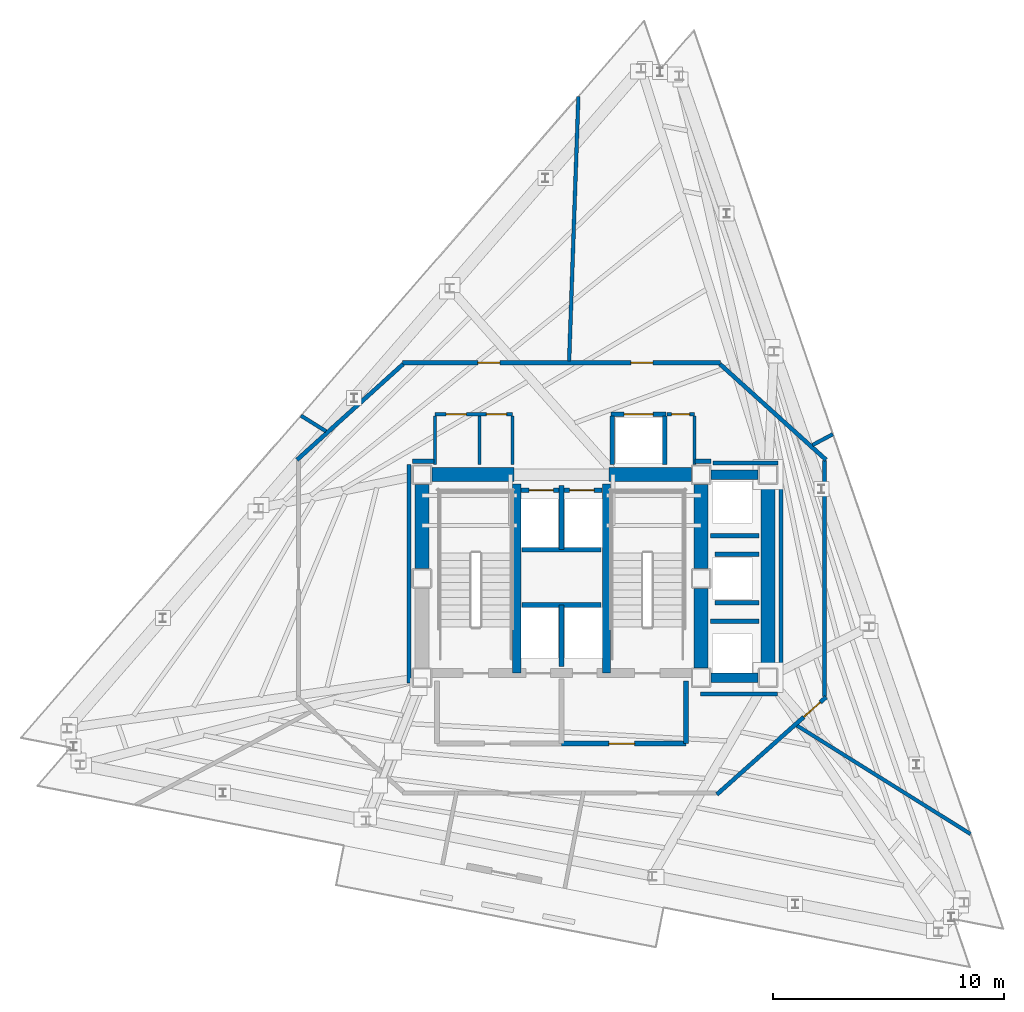
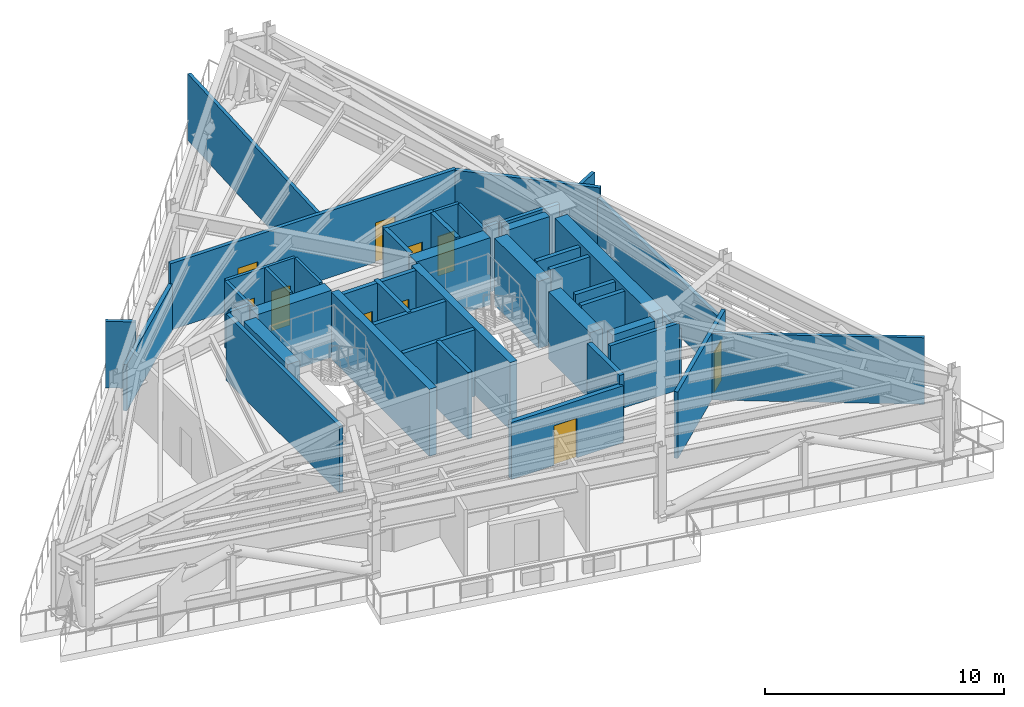
# One storey, part 5 of 8: 45 walls, 10 doors, 10 openings.
"""IFC4 building model written with IfcOpenShell, lengths in metres."""

from ifc_helpers import new_model, si_unit, direction, frame, frame_2d, origin, place, context, subcontext, project, spatial, rectangle, extrude, material, layer, layer_set, type_object, element, fill, save


model = new_model("IFC4")

# Units and contexts
model_context = context("Model", 3, precision=1e-05, world=origin(), true_north=direction((0.0, 1.0)))
body_context = subcontext(model_context, "Body", "Model", "MODEL_VIEW")
ifc_project = project(units=[si_unit("LENGTHUNIT", "METRE"), si_unit("AREAUNIT", "SQUARE_METRE"), si_unit("VOLUMEUNIT", "CUBIC_METRE"), si_unit("PLANEANGLEUNIT", "RADIAN"), si_unit("MASSUNIT", "GRAM", prefix="KILO")], contexts=[model_context])

# Site, building, storey
site_placement = place(None, origin())
site = spatial("IfcSite", under=ifc_project, at=site_placement, CompositionType="ELEMENT")
building_placement = place(site_placement, origin())
building = spatial("IfcBuilding", under=site, at=building_placement, Name="Rocaltana Carrier Exchange", CompositionType="ELEMENT")
storey_placement = place(building_placement, frame((0.0, 0.0, 171.52001953125)))
storey = spatial("IfcBuildingStorey", under=building, at=storey_placement, Name="L54", CompositionType="ELEMENT", Elevation=171.52001953125)

# Walls
ifc_material_1 = material(Name="Double Acoustic Gypsum Partition", Category="gypsum")
ifc_layer_1 = layer(ifc_material_1, 0.159912109375)
ifc_layer_set_1 = layer_set([ifc_layer_1], Name="Double Acoustic Gypsum Partition")
wall_type_1 = type_object("IfcWallType", Name="Acoustic Studio Partition 160 EI60", PredefinedType="PARTITIONING", material=ifc_layer_set_1)
wall_1_placement = place(storey_placement, frame((10.201904296875, -6.375, 0.0), z_axis=(0.0, 0.0, 1.0), x_axis=(0.848060141207, -0.529899987635, 0.0)))
element("IfcWall", 1, at=wall_1_placement, inside=storey, type_object=wall_type_1, Name="L54 Suite Divider Wall D2", PredefinedType="PARTITIONING", context=body_context, shape_type="SweptSolid", body=[
    extrude(rectangle(XDim=8.871337890625, YDim=0.159912109375, at=frame_2d((4.435546875, 0.0))), origin(), (0.0, 0.0, 1.0), 3.39306640625),
])
wall_2_placement = place(storey_placement, frame((10.874267578125, 5.781982421875, 0.0), z_axis=(0.0, 0.0, 1.0), x_axis=(0.882986309888, 0.4693987394, 0.0)))
element("IfcWall", 2, at=wall_2_placement, inside=storey, type_object=wall_type_1, Name="L54 Suite Divider Wall D3", PredefinedType="PARTITIONING", context=body_context, shape_type="SweptSolid", body=[
    extrude(rectangle(XDim=1.001708984375, YDim=0.159912109375, at=frame_2d((0.5009765625, 0.0))), origin(), (0.0, 0.0, 1.0), 3.39306640625),
])
wall_3_placement = place(storey_placement, frame((0.329345703125, 9.429931640625, 0.0), z_axis=(0.0, 0.0, 1.0), x_axis=(0.034899362377, 0.99939083171, 0.0)))
element("IfcWall", 3, at=wall_3_placement, inside=storey, type_object=wall_type_1, Name="L54 Suite Divider Wall D4", PredefinedType="PARTITIONING", context=body_context, shape_type="SweptSolid", body=[
    extrude(rectangle(XDim=11.4658203125, YDim=0.159912109375, at=frame_2d((5.73291015625, 0.0))), origin(), (0.0, 0.0, 1.0), 3.39306640625),
])
wall_4_placement = place(storey_placement, frame((-10.2109375, 6.380615234375, 0.0), z_axis=(0.0, 0.0, 1.0), x_axis=(-0.848127172329, 0.529792694888, 0.0)))
element("IfcWall", 4, at=wall_4_placement, inside=storey, type_object=wall_type_1, Name="L54 Suite Divider Wall D5", PredefinedType="PARTITIONING", context=body_context, shape_type="SweptSolid", body=[
    extrude(rectangle(XDim=1.27685546875, YDim=0.159912109375, at=frame_2d((0.638427734375, 0.0))), origin(), (0.0, 0.0, 1.0), 3.39306640625),
])
ifc_material_2 = material(Name="Concrete C50/60", Category="concrete")
ifc_layer_2 = layer(ifc_material_2, 0.35009765625)
ifc_layer_set_2 = layer_set([ifc_layer_2], Name="Concrete C50/60")
wall_type_2 = type_object("IfcWallType", Name="Core Internal Shear Wall 350", PredefinedType="SHEAR", material=ifc_layer_set_2)
for number, where, z_axis, x_axis, name in (
    (5, (-1.93994140625, -4.10009765625, 0.0), (0.0, 0.0, 1.0), (0.0, 1.0, 0.0), "L54 Core Shear Wall CW-STW"),
    (6, (1.93994140625, -4.10009765625, 0.0), (0.0, 0.0, 1.0), (0.0, 1.0, 0.0), "L54 Core Shear Wall CW-STE"),
):
    element("IfcWall", number, at=place(storey_placement, frame(where, z_axis=z_axis, x_axis=x_axis)), inside=storey, type_object=wall_type_2, Name=name, PredefinedType="SHEAR", context=body_context, shape_type="SweptSolid", body=[
        extrude(rectangle(XDim=8.2001953125, YDim=0.35009765625, at=frame_2d((4.10009765625, 0.0))), origin(), (0.0, 0.0, 1.0), 3.41796875),
    ])
ifc_material_3 = material(Name="Concrete C50/60", Category="concrete")
ifc_layer_3 = layer(ifc_material_3, 0.39990234375)
ifc_layer_set_3 = layer_set([ifc_layer_3], Name="Concrete C50/60")
wall_type_3 = type_object("IfcWallType", Name="Core Internal Shear Wall 400", PredefinedType="SHEAR", material=ifc_layer_set_3)
for number, where, z_axis, x_axis, name in (
    (7, (6.47509765625, 4.5, 0.0), (0.0, 0.0, 1.0), (1.0, 0.0, 0.0), "L54 Core Shear Wall CW-EWN"),
    (8, (6.47509765625, -4.300048828125, 0.0), (0.0, 0.0, 1.0), (1.0, 0.0, 0.0), "L54 Core Shear Wall CW-EWS"),
):
    element("IfcWall", number, at=place(storey_placement, frame(where, z_axis=z_axis, x_axis=x_axis)), inside=storey, type_object=wall_type_3, Name=name, PredefinedType="SHEAR", context=body_context, shape_type="SweptSolid", body=[
        extrude(rectangle(XDim=2.0498046875, YDim=0.39990234375, at=frame_2d((1.02490234375, 0.0))), origin(), (0.0, 0.0, 1.0), 3.41796875),
    ])
ifc_material_4 = material(Name="Concrete C50/60", Category="concrete")
ifc_layer_4 = layer(ifc_material_4, 0.60009765625)
ifc_layer_set_4 = layer_set([ifc_layer_4], Name="Concrete C50/60")
wall_type_4 = type_object("IfcWallType", Name="Core Shear Wall 600", PredefinedType="SHEAR", material=ifc_layer_set_4)
for number, where, z_axis, x_axis, name in (
    (9, (-6.050048828125, 0.425048828125, 0.0), (0.0, 0.0, 1.0), (0.0, 1.0, 0.0), "L54 Core Shear Wall CW-WN"),
    (10, (6.050048828125, 0.425048828125, 0.0), (0.0, 0.0, 1.0), (0.0, 1.0, 0.0), "L54 Core Shear Wall CW-EN"),
):
    element("IfcWall", number, at=place(storey_placement, frame(where, z_axis=z_axis, x_axis=x_axis)), inside=storey, type_object=wall_type_4, Name=name, PredefinedType="SHEAR", context=body_context, shape_type="SweptSolid", body=[
        extrude(rectangle(XDim=3.64990234375, YDim=0.60009765625, at=frame_2d((1.824951171875, 0.0))), origin(), (0.0, 0.0, 1.0), 3.41796875),
    ])
wall_5_placement = place(storey_placement, frame((6.050048828125, -3.875, 0.0), z_axis=(0.0, 0.0, 1.0), x_axis=(0.0, 1.0, 0.0)))
element("IfcWall", 11, at=wall_5_placement, inside=storey, type_object=wall_type_4, Name="L54 Core Shear Wall CW-ES", PredefinedType="SHEAR", context=body_context, shape_type="SweptSolid", body=[
    extrude(rectangle(XDim=3.449951171875, YDim=0.60009765625, at=frame_2d((1.72509765625, 0.0))), origin(), (0.0, 0.0, 1.0), 3.41796875),
])
for number, where, z_axis, x_axis, name in (
    (12, (-5.625, 4.5, 0.0), (0.0, 0.0, 1.0), (1.0, 0.0, 0.0), "L54 Core Shear Wall CW-N1"),
    (13, (2.050048828125, 4.5, 0.0), (0.0, 0.0, 1.0), (1.0, 0.0, 0.0), "L54 Core Shear Wall CW-N2"),
):
    element("IfcWall", number, at=place(storey_placement, frame(where, z_axis=z_axis, x_axis=x_axis)), inside=storey, type_object=wall_type_4, Name=name, PredefinedType="SHEAR", context=body_context, shape_type="SweptSolid", body=[
        extrude(rectangle(XDim=3.574951171875, YDim=0.60009765625, at=frame_2d((1.78759765625, 0.0))), origin(), (0.0, 0.0, 1.0), 3.41796875),
    ])
wall_6_placement = place(storey_placement, frame((8.949951171875, -3.875, 0.0), z_axis=(0.0, 0.0, 1.0), x_axis=(0.0, 1.0, 0.0)))
element("IfcWall", 14, at=wall_6_placement, inside=storey, type_object=wall_type_4, Name="L54 Core Shear Wall CW-EW", PredefinedType="SHEAR", context=body_context, shape_type="SweptSolid", body=[
    extrude(rectangle(XDim=7.949951171875, YDim=0.60009765625, at=frame_2d((3.97509765625, 0.0))), origin(), (0.0, 0.0, 1.0), 3.41796875),
])

# Wall, openings, doors
ifc_material_5 = material(Name="Gypsum & Steel Stud Partition", Category="steel")
ifc_layer_5 = layer(ifc_material_5, 0.179931640625)
ifc_layer_set_5 = layer_set([ifc_layer_5], Name="Gypsum & Steel Stud Partition")
wall_type_5 = type_object("IfcWallType", Name="Corridor Fire Partition 180 EI60", PredefinedType="PARTITIONING", material=ifc_layer_set_5)
wall_7_placement = place(storey_placement, frame((-6.889892578125, 9.35009765625, 0.0), z_axis=(0.0, 0.0, 1.0), x_axis=(1.0, 0.0, 0.0)))
wall_7 = element("IfcWall", 15, at=wall_7_placement, inside=storey, type_object=wall_type_5, Name="L54 Corridor Partition 1", PredefinedType="PARTITIONING", context=body_context, shape_type="SweptSolid", body=[
    extrude(rectangle(XDim=13.77978515625, YDim=0.179931640625, at=frame_2d((6.889892578125, 0.0))), origin(), (0.0, 0.0, 1.0), 3.39306640625),
])
opening_1_placement = place(wall_7_placement, frame((9.889404296875, 0.0, 0.0)))
opening_1 = element("IfcOpeningElement", 16, at=opening_1_placement, cuts=wall_7, Name="Opening D-RM098", PredefinedType="OPENING", context=body_context, shape_type="SweptSolid", body=[
    extrude(rectangle(XDim=0.9599609375, YDim=2.02001953125, at=frame_2d((0.47998046875, 1.010009765625))), frame((0.0, 0.099853515625, 0.0), z_axis=(0.0, -1.0, 0.0), x_axis=(1.0, 0.0, 0.0)), (0.0, 0.0, 1.0), 0.199951171875),
])
opening_2_placement = place(wall_7_placement, frame((3.260009765625, 0.0, 0.0)))
opening_2 = element("IfcOpeningElement", 17, at=opening_2_placement, cuts=wall_7, Name="Opening D-RM098", PredefinedType="OPENING", context=body_context, shape_type="SweptSolid", body=[
    extrude(rectangle(XDim=0.9599609375, YDim=2.02001953125, at=frame_2d((0.47998046875, 1.010009765625))), frame((0.0, 0.099853515625, 0.0), z_axis=(0.0, -1.0, 0.0), x_axis=(1.0, 0.0, 0.0)), (0.0, 0.0, 1.0), 0.199951171875),
])
ifc_material_6 = material(Name="Engineered Hardwood Timber", Category="wood")
door_type_1 = type_object("IfcDoorType", Name="Workspace Single Door 960x2020", OperationType="NOTDEFINED", PredefinedType="DOOR", material=ifc_material_6)
door_1_placement = place(opening_1_placement, origin())
door_1 = element("IfcDoor", 18, at=door_1_placement, inside=storey, type_object=door_type_1, Name="L54 Thermal Hydronic Pump Room Entrance Door", OperationType="SINGLE_SWING_RIGHT", OverallHeight=2.02001953125, OverallWidth=0.9599609375, PredefinedType="DOOR", context=body_context, shape_type="SweptSolid", body=[
    extrude(rectangle(XDim=0.9599609375, YDim=2.02001953125, at=frame_2d((0.47998046875, 1.010009765625))), frame((0.0, 0.02490234375, 0.0), z_axis=(0.0, -1.0, 0.0), x_axis=(1.0, 0.0, 0.0)), (0.0, 0.0, 1.0), 0.050048828125),
])
fill(opening_1, door_1)
door_2_placement = place(opening_2_placement, origin())
door_2 = element("IfcDoor", 19, at=door_2_placement, inside=storey, type_object=door_type_1, Name="L54 Heat Recovery Plenum Room Entrance Door", OperationType="SINGLE_SWING_LEFT", OverallHeight=2.02001953125, OverallWidth=0.9599609375, PredefinedType="DOOR", context=body_context, shape_type="SweptSolid", body=[
    extrude(rectangle(XDim=0.9599609375, YDim=2.02001953125, at=frame_2d((0.47998046875, 1.010009765625))), frame((0.0, 0.02490234375, 0.0), z_axis=(0.0, -1.0, 0.0), x_axis=(1.0, 0.0, 0.0)), (0.0, 0.0, 1.0), 0.050048828125),
])
fill(opening_2, door_2)

# Walls
wall_8_placement = place(storey_placement, frame((6.86669921875, 9.289794921875, 0.0), z_axis=(0.0, 0.0, 1.0), x_axis=(0.742486327971, -0.669861219042, 0.0)))
element("IfcWall", 20, at=wall_8_placement, inside=storey, type_object=wall_type_5, Name="L54 Corridor Partition 2", PredefinedType="PARTITIONING", context=body_context, shape_type="SweptSolid", body=[
    extrude(rectangle(XDim=6.195556640625, YDim=0.179931640625, at=frame_2d((3.09765625, 0.0))), origin(), (0.0, 0.0, 1.0), 3.39306640625),
])
wall_9_placement = place(storey_placement, frame((11.39990234375, 5.110107421875, 0.0), z_axis=(0.0, 0.0, 1.0), x_axis=(0.0, -1.0, 0.0)))
element("IfcWall", 21, at=wall_9_placement, inside=storey, type_object=wall_type_5, Name="L54 Corridor Partition 3", PredefinedType="PARTITIONING", context=body_context, shape_type="SweptSolid", body=[
    extrude(rectangle(XDim=10.22021484375, YDim=0.179931640625, at=frame_2d((5.110107421875, 0.0))), origin(), (0.0, 0.0, 1.0), 2.906982421875),
])

# Wall, opening, door
wall_10_placement = place(storey_placement, frame((11.46728515625, -5.14013671875, 0.0), z_axis=(0.0, 0.0, 1.0), x_axis=(-0.746516597114, -0.665366793756, 0.0)))
wall_10 = element("IfcWall", 22, at=wall_10_placement, inside=storey, type_object=wall_type_5, Name="L54 Corridor Partition 4", PredefinedType="PARTITIONING", context=body_context, shape_type="SweptSolid", body=[
    extrude(rectangle(XDim=6.342041015625, YDim=0.179931640625, at=frame_2d((3.1708984375, 0.0))), origin(), (0.0, 0.0, 1.0), 3.39306640625),
])
opening_3_placement = place(wall_10_placement, frame((0.335693359375, 0.0, 0.0)))
opening_3 = element("IfcOpeningElement", 23, at=opening_3_placement, cuts=wall_10, Name="Opening D-RM098", PredefinedType="OPENING", context=body_context, shape_type="SweptSolid", body=[
    extrude(rectangle(XDim=0.9599609375, YDim=2.02001953125, at=frame_2d((0.47998046875, 1.010009765625))), frame((0.0, 0.099853515625, 0.0), z_axis=(0.0, -1.0, 0.0), x_axis=(1.0, 0.0, 0.0)), (0.0, 0.0, 1.0), 0.199951171875),
])
door_3_placement = place(opening_3_placement, origin())
door_3 = element("IfcDoor", 24, at=door_3_placement, inside=storey, type_object=door_type_1, Name="L54 Primary Electrical Switchgear Room Entrance Door", OperationType="SINGLE_SWING_LEFT", OverallHeight=2.02001953125, OverallWidth=0.9599609375, PredefinedType="DOOR", context=body_context, shape_type="SweptSolid", body=[
    extrude(rectangle(XDim=0.9599609375, YDim=2.02001953125, at=frame_2d((0.47998046875, 1.010009765625))), frame((0.0, 0.02490234375, 0.0), z_axis=(0.0, -1.0, 0.0), x_axis=(1.0, 0.0, 0.0)), (0.0, 0.0, 1.0), 0.050048828125),
])
fill(opening_3, door_3)

# Walls
wall_11_placement = place(storey_placement, frame((-11.466796875, 5.1396484375, 0.0), z_axis=(0.0, 0.0, 1.0), x_axis=(0.742486327971, 0.669861219042, 0.0)))
element("IfcWall", 25, at=wall_11_placement, inside=storey, type_object=wall_type_5, Name="L54 Corridor Partition 8", PredefinedType="PARTITIONING", context=body_context, shape_type="SweptSolid", body=[
    extrude(rectangle(XDim=6.195556640625, YDim=0.179931640625, at=frame_2d((3.09765625, 0.0))), origin(), (0.0, 0.0, 1.0), 2.364990234375),
])
wall_12_placement = place(storey_placement, frame((-6.610107421875, 4.93994140625, 0.0), z_axis=(0.0, 0.0, 1.0), x_axis=(0.0, -1.0, 0.0)))
element("IfcWall", 26, at=wall_12_placement, inside=storey, type_object=wall_type_5, Name="L54 Corridor Partition 9", PredefinedType="PARTITIONING", context=body_context, shape_type="SweptSolid", body=[
    extrude(rectangle(XDim=9.4599609375, YDim=0.179931640625, at=frame_2d((4.72998046875, 0.0))), origin(), (0.0, 0.0, 1.0), 3.39306640625),
])
wall_13_placement = place(storey_placement, frame((6.030029296875, -5.010009765625, 0.0), z_axis=(0.0, 0.0, 1.0), x_axis=(1.0, 0.0, 0.0)))
element("IfcWall", 27, at=wall_13_placement, inside=storey, type_object=wall_type_5, Name="L54 Corridor Partition 12", PredefinedType="PARTITIONING", context=body_context, shape_type="SweptSolid", body=[
    extrude(rectangle(XDim=3.340087890625, YDim=0.179931640625, at=frame_2d((1.669921875, 0.0))), origin(), (0.0, 0.0, 1.0), 3.39306640625),
])
wall_14_placement = place(storey_placement, frame((9.510009765625, -4.8701171875, 0.0), z_axis=(0.0, 0.0, 1.0), x_axis=(0.0, 1.0, 0.0)))
element("IfcWall", 28, at=wall_14_placement, inside=storey, type_object=wall_type_5, Name="L54 Corridor Partition 13", PredefinedType="PARTITIONING", context=body_context, shape_type="SweptSolid", body=[
    extrude(rectangle(XDim=9.740234375, YDim=0.179931640625, at=frame_2d((4.8701171875, 0.0))), origin(), (0.0, 0.0, 1.0), 2.906982421875),
])
wall_15_placement = place(storey_placement, frame((9.3701171875, 5.010009765625, 0.0), z_axis=(0.0, 0.0, 1.0), x_axis=(-1.0, 0.0, 0.0)))
element("IfcWall", 29, at=wall_15_placement, inside=storey, type_object=wall_type_5, Name="L54 Corridor Partition 14", PredefinedType="PARTITIONING", context=body_context, shape_type="SweptSolid", body=[
    extrude(rectangle(XDim=2.807861328125, YDim=0.179931640625, at=frame_2d((1.40380859375, 0.0))), origin(), (0.0, 0.0, 1.0), 3.39306640625),
])
wall_16_placement = place(storey_placement, frame((6.469970703125, 5.080078125, 0.0), z_axis=(0.0, 0.0, 1.0), x_axis=(-1.0, 0.0, 0.0)))
element("IfcWall", 30, at=wall_16_placement, inside=storey, type_object=wall_type_5, Name="L54 Corridor Partition 15", PredefinedType="PARTITIONING", context=body_context, shape_type="SweptSolid", body=[
    extrude(rectangle(XDim=0.679931640625, YDim=0.179931640625, at=frame_2d((0.33984375, 0.0))), origin(), (0.0, 0.0, 1.0), 3.39306640625),
])
wall_17_placement = place(storey_placement, frame((-5.52001953125, 5.080078125, 0.0), z_axis=(0.0, 0.0, 1.0), x_axis=(-1.0, 0.0, 0.0)))
element("IfcWall", 31, at=wall_17_placement, inside=storey, type_object=wall_type_5, Name="L54 Corridor Partition 18", PredefinedType="PARTITIONING", context=body_context, shape_type="SweptSolid", body=[
    extrude(rectangle(XDim=0.949951171875, YDim=0.179931640625, at=frame_2d((0.47509765625, 0.0))), origin(), (0.0, 0.0, 1.0), 3.39306640625),
])
ifc_material_7 = material(Name="Autoclaved Aerated Concrete C30/37", Category="concrete")
ifc_layer_6 = layer(ifc_material_7, 0.219970703125)
ifc_layer_set_6 = layer_set([ifc_layer_6], Name="Autoclaved Aerated Concrete C30/37")
wall_type_6 = type_object("IfcWallType", Name="Firefighting Lobby Wall 220 EI120", PredefinedType="PARTITIONING", material=ifc_layer_set_6)
wall_18_placement = place(storey_placement, frame((5.39990234375, -7.159912109375, 0.0), z_axis=(0.0, 0.0, 1.0), x_axis=(0.0, 1.0, 0.0)))
element("IfcWall", 32, at=wall_18_placement, inside=storey, type_object=wall_type_6, Name="L54 FFL Lobby 2 East Wall", PredefinedType="PARTITIONING", context=body_context, shape_type="SweptSolid", body=[
    extrude(rectangle(XDim=2.7099609375, YDim=0.219970703125, at=frame_2d((1.35498046875, 0.0))), origin(), (0.0, 0.0, 1.0), 3.39306640625),
])

# Wall, opening, door
wall_19_placement = place(storey_placement, frame((0.0, -7.159912109375, 0.0), z_axis=(0.0, 0.0, 1.0), x_axis=(1.0, 0.0, 0.0)))
wall_19 = element("IfcWall", 33, at=wall_19_placement, inside=storey, type_object=wall_type_6, Name="L54 FFL Lobby 2 South Wall", PredefinedType="PARTITIONING", context=body_context, shape_type="SweptSolid", body=[
    extrude(rectangle(XDim=5.39990234375, YDim=0.219970703125, at=frame_2d((2.699951171875, 0.0))), origin(), (0.0, 0.0, 1.0), 2.906982421875),
])
opening_4_placement = place(wall_19_placement, frame((2.050048828125, 0.0, 0.0)))
opening_4 = element("IfcOpeningElement", 34, at=opening_4_placement, cuts=wall_19, Name="Opening D-FF115", PredefinedType="OPENING", context=body_context, shape_type="SweptSolid", body=[
    extrude(rectangle(XDim=1.1201171875, YDim=2.02001953125, at=frame_2d((0.56005859375, 1.010009765625))), frame((0.0, 0.119873046875, 0.0), z_axis=(0.0, -1.0, 0.0), x_axis=(1.0, 0.0, 0.0)), (0.0, 0.0, 1.0), 0.239990234375),
])
ifc_material_8 = material(Name="Hollow Metal Fire Door Assembly", Category="steel")
door_type_2 = type_object("IfcDoorType", Name="Firefighting Lobby Door 1120x2020 FD60S", OperationType="NOTDEFINED", PredefinedType="DOOR", material=ifc_material_8)
door_4_placement = place(opening_4_placement, origin())
door_4 = element("IfcDoor", 35, at=door_4_placement, inside=storey, type_object=door_type_2, Name="L54 Firefighting Lift Lobby 2 Door", OperationType="SINGLE_SWING_LEFT", OverallHeight=2.02001953125, OverallWidth=1.1201171875, PredefinedType="DOOR", context=body_context, shape_type="SweptSolid", body=[
    extrude(rectangle(XDim=1.1201171875, YDim=2.02001953125, at=frame_2d((0.56005859375, 1.010009765625))), frame((0.0, 0.02490234375, 0.0), z_axis=(0.0, -1.0, 0.0), x_axis=(1.0, 0.0, 0.0)), (0.0, 0.0, 1.0), 0.050048828125),
])
fill(opening_4, door_4)

# Walls
ifc_material_9 = material(Name="Reinforced Concrete Block C35/45", Category="concrete")
ifc_layer_7 = layer(ifc_material_9, 0.199951171875)
ifc_layer_set_7 = layer_set([ifc_layer_7], Name="Reinforced Concrete Block C35/45")
wall_type_7 = type_object("IfcWallType", Name="Lift Hoistway Enclosure Wall 200 EI120", PredefinedType="PARTITIONING", material=ifc_layer_set_7)
wall_20_placement = place(storey_placement, frame((0.0, -3.820068359375, 0.0), z_axis=(0.0, 0.0, 1.0), x_axis=(0.0, 1.0, 0.0)))
element("IfcWall", 36, at=wall_20_placement, inside=storey, type_object=wall_type_7, Name="L54 FFL Shaft Divider", PredefinedType="PARTITIONING", context=body_context, shape_type="SweptSolid", body=[
    extrude(rectangle(XDim=2.670166015625, YDim=0.199951171875, at=frame_2d((1.3349609375, 0.0))), origin(), (0.0, 0.0, 1.0), 3.39306640625),
])
wall_21_placement = place(storey_placement, frame((-1.719970703125, -1.14990234375, 0.0), z_axis=(0.0, 0.0, 1.0), x_axis=(1.0, 0.0, 0.0)))
element("IfcWall", 37, at=wall_21_placement, inside=storey, type_object=wall_type_7, Name="L54 FFL Shaft Back Wall", PredefinedType="PARTITIONING", context=body_context, shape_type="SweptSolid", body=[
    extrude(rectangle(XDim=3.43994140625, YDim=0.199951171875, at=frame_2d((1.719970703125, 0.0))), origin(), (0.0, 0.0, 1.0), 3.39306640625),
])
wall_22_placement = place(storey_placement, frame((0.0, 1.25, 0.0), z_axis=(0.0, 0.0, 1.0), x_axis=(0.0, 1.0, 0.0)))
element("IfcWall", 38, at=wall_22_placement, inside=storey, type_object=wall_type_7, Name="L54 High-Rise Shaft Divider", PredefinedType="PARTITIONING", context=body_context, shape_type="SweptSolid", body=[
    extrude(rectangle(XDim=2.77001953125, YDim=0.199951171875, at=frame_2d((1.385009765625, 0.0))), origin(), (0.0, 0.0, 1.0), 3.39306640625),
])
wall_23_placement = place(storey_placement, frame((-1.719970703125, 1.25, 0.0), z_axis=(0.0, 0.0, 1.0), x_axis=(1.0, 0.0, 0.0)))
element("IfcWall", 39, at=wall_23_placement, inside=storey, type_object=wall_type_7, Name="L54 High-Rise Shaft Back Wall", PredefinedType="PARTITIONING", context=body_context, shape_type="SweptSolid", body=[
    extrude(rectangle(XDim=3.43994140625, YDim=0.199951171875, at=frame_2d((1.719970703125, 0.0))), origin(), (0.0, 0.0, 1.0), 3.39306640625),
])

# Wall, openings, doors
wall_24_placement = place(storey_placement, frame((-1.760009765625, 3.820068359375, 0.0), z_axis=(0.0, 0.0, 1.0), x_axis=(1.0, 0.0, 0.0)))
wall_24 = element("IfcWall", 40, at=wall_24_placement, inside=storey, type_object=wall_type_7, Name="L54 High-Rise Lift Front Wall", PredefinedType="PARTITIONING", context=body_context, shape_type="SweptSolid", body=[
    extrude(rectangle(XDim=3.52001953125, YDim=0.199951171875, at=frame_2d((1.760009765625, 0.0))), origin(), (0.0, 0.0, 1.0), 3.39306640625),
])
opening_5_placement = place(wall_24_placement, frame((0.35009765625, 0.0, 0.0)))
opening_5 = element("IfcOpeningElement", 41, at=opening_5_placement, cuts=wall_24, Name="Opening LD-110", PredefinedType="OPENING", context=body_context, shape_type="SweptSolid", body=[
    extrude(rectangle(XDim=1.06005859375, YDim=2.0400390625, at=frame_2d((0.530029296875, 1.02001953125))), frame((0.0, 0.10986328125, 0.0), z_axis=(0.0, -1.0, 0.0), x_axis=(1.0, 0.0, 0.0)), (0.0, 0.0, 1.0), 0.219970703125),
])
opening_6_placement = place(wall_24_placement, frame((2.110107421875, 0.0, 0.0)))
opening_6 = element("IfcOpeningElement", 42, at=opening_6_placement, cuts=wall_24, Name="Opening LD-110", PredefinedType="OPENING", context=body_context, shape_type="SweptSolid", body=[
    extrude(rectangle(XDim=1.06005859375, YDim=2.0400390625, at=frame_2d((0.530029296875, 1.02001953125))), frame((0.0, 0.10986328125, 0.0), z_axis=(0.0, -1.0, 0.0), x_axis=(1.0, 0.0, 0.0)), (0.0, 0.0, 1.0), 0.219970703125),
])
ifc_material_10 = material(Name="Brushed Stainless Sliding Door Leaf", Category="steel")
door_type_3 = type_object("IfcDoorType", Name="Lift Landing Sliding Door 1060x2040", OperationType="NOTDEFINED", PredefinedType="DOOR", material=ifc_material_10)
door_5_placement = place(opening_5_placement, origin())
door_5 = element("IfcDoor", 43, at=door_5_placement, inside=storey, type_object=door_type_3, Name="L54 High-Rise Lift PLH1 Landing Door", OperationType="SLIDING_TO_LEFT", OverallHeight=2.0400390625, OverallWidth=1.06005859375, PredefinedType="DOOR", context=body_context, shape_type="SweptSolid", body=[
    extrude(rectangle(XDim=1.06005859375, YDim=2.0400390625, at=frame_2d((0.530029296875, 1.02001953125))), frame((0.0, 0.02490234375, 0.0), z_axis=(0.0, -1.0, 0.0), x_axis=(1.0, 0.0, 0.0)), (0.0, 0.0, 1.0), 0.050048828125),
])
fill(opening_5, door_5)
door_6_placement = place(opening_6_placement, origin())
door_6 = element("IfcDoor", 44, at=door_6_placement, inside=storey, type_object=door_type_3, Name="L54 High-Rise Lift PLH2 Landing Door", OperationType="SLIDING_TO_RIGHT", OverallHeight=2.0400390625, OverallWidth=1.06005859375, PredefinedType="DOOR", context=body_context, shape_type="SweptSolid", body=[
    extrude(rectangle(XDim=1.06005859375, YDim=2.0400390625, at=frame_2d((0.530029296875, 1.02001953125))), frame((0.0, 0.02490234375, 0.0), z_axis=(0.0, -1.0, 0.0), x_axis=(1.0, 0.0, 0.0)), (0.0, 0.0, 1.0), 0.050048828125),
])
fill(opening_6, door_6)

# Walls
for number, where, z_axis, x_axis, name in (
    (45, (2.199951171875, 4.949951171875, 0.0), (0.0, 0.0, 1.0), (0.0, 1.0, 0.0), "L54 Goods Lift West Wall"),
    (46, (4.47998046875, 4.949951171875, 0.0), (0.0, 0.0, 1.0), (0.0, 1.0, 0.0), "L54 Goods Lift East Wall"),
):
    element("IfcWall", number, at=place(storey_placement, frame(where, z_axis=z_axis, x_axis=x_axis)), inside=storey, type_object=wall_type_7, Name=name, PredefinedType="PARTITIONING", context=body_context, shape_type="SweptSolid", body=[
        extrude(rectangle(XDim=2.10009765625, YDim=0.199951171875, at=frame_2d((1.050048828125, 0.0))), origin(), (0.0, 0.0, 1.0), 3.39306640625),
    ])

# Wall, opening, door
wall_25_placement = place(storey_placement, frame((2.14990234375, 7.1201171875, 0.0), z_axis=(0.0, 0.0, 1.0), x_axis=(1.0, 0.0, 0.0)))
wall_25 = element("IfcWall", 47, at=wall_25_placement, inside=storey, type_object=wall_type_7, Name="L54 Goods Lift Front Wall", PredefinedType="PARTITIONING", context=body_context, shape_type="SweptSolid", body=[
    extrude(rectangle(XDim=2.380126953125, YDim=0.199951171875, at=frame_2d((1.18994140625, 0.0))), origin(), (0.0, 0.0, 1.0), 3.39306640625),
])
opening_7_placement = place(wall_25_placement, frame((0.56005859375, 0.0, 0.0)))
opening_7 = element("IfcOpeningElement", 48, at=opening_7_placement, cuts=wall_25, Name="Opening LD-130", PredefinedType="OPENING", context=body_context, shape_type="SweptSolid", body=[
    extrude(rectangle(XDim=1.260009765625, YDim=2.06005859375, at=frame_2d((0.6298828125, 1.030029296875))), frame((0.0, 0.10986328125, 0.0), z_axis=(0.0, -1.0, 0.0), x_axis=(1.0, 0.0, 0.0)), (0.0, 0.0, 1.0), 0.219970703125),
])
ifc_material_11 = material(Name="Brushed Stainless Sliding Door Leaf", Category="steel")
door_type_4 = type_object("IfcDoorType", Name="Goods Lift Landing Sliding Door 1260x2060", OperationType="NOTDEFINED", PredefinedType="DOOR", material=ifc_material_11)
door_7_placement = place(opening_7_placement, origin())
door_7 = element("IfcDoor", 49, at=door_7_placement, inside=storey, type_object=door_type_4, Name="L54 Goods Lift GL-1 Landing Door", OperationType="SLIDING_TO_LEFT", OverallHeight=2.06005859375, OverallWidth=1.260009765625, PredefinedType="DOOR", context=body_context, shape_type="SweptSolid", body=[
    extrude(rectangle(XDim=1.260009765625, YDim=2.06005859375, at=frame_2d((0.6298828125, 1.030029296875))), frame((0.0, 0.02490234375, 0.0), z_axis=(0.0, -1.0, 0.0), x_axis=(1.0, 0.0, 0.0)), (0.0, 0.0, 1.0), 0.050048828125),
])
fill(opening_7, door_7)

# Walls
for number, where, z_axis, x_axis, name in (
    (50, (6.449951171875, -1.85009765625, 0.0), (0.0, 0.0, 1.0), (1.0, 0.0, 0.0), "L54 Mid-Rise Shaft Divider 1"),
    (51, (6.449951171875, 1.85009765625, 0.0), (0.0, 0.0, 1.0), (1.0, 0.0, 0.0), "L54 Mid-Rise Shaft Divider 2"),
):
    element("IfcWall", number, at=place(storey_placement, frame(where, z_axis=z_axis, x_axis=x_axis)), inside=storey, type_object=wall_type_7, Name=name, PredefinedType="PARTITIONING", context=body_context, shape_type="SweptSolid", body=[
        extrude(rectangle(XDim=2.10009765625, YDim=0.199951171875, at=frame_2d((1.050048828125, 0.0))), origin(), (0.0, 0.0, 1.0), 3.39306640625),
    ])
for number, where, z_axis, x_axis, name in (
    (52, (6.639892578125, -1.050048828125, 0.0), (0.0, 0.0, 1.0), (1.0, 0.0, 0.0), "L54 Mid-Rise Center Shaft Wall South"),
    (53, (6.639892578125, 1.050048828125, 0.0), (0.0, 0.0, 1.0), (1.0, 0.0, 0.0), "L54 Mid-Rise Center Shaft Wall North"),
):
    element("IfcWall", number, at=place(storey_placement, frame(where, z_axis=z_axis, x_axis=x_axis)), inside=storey, type_object=wall_type_7, Name=name, PredefinedType="PARTITIONING", context=body_context, shape_type="SweptSolid", body=[
        extrude(rectangle(XDim=1.91015625, YDim=0.199951171875, at=frame_2d((0.955078125, 0.0))), origin(), (0.0, 0.0, 1.0), 3.39306640625),
    ])
ifc_material_12 = material(Name="Moisture-Resistant Masonry C30/37", Category="masonry")
ifc_layer_8 = layer(ifc_material_12, 0.139892578125)
ifc_layer_set_8 = layer_set([ifc_layer_8], Name="Moisture-Resistant Masonry C30/37")
wall_type_8 = type_object("IfcWallType", Name="Wet-Area Sanitary Partition 140", PredefinedType="PARTITIONING", material=ifc_layer_set_8)
for number, where, z_axis, x_axis, name in (
    (54, (-5.47998046875, 4.949951171875, 0.0), (0.0, 0.0, 1.0), (0.0, 1.0, 0.0), "L54 Sanitary West Wall"),
    (55, (-3.56005859375, 4.949951171875, 0.0), (0.0, 0.0, 1.0), (0.0, 1.0, 0.0), "L54 Sanitary Divider"),
    (56, (-2.1201171875, 4.949951171875, 0.0), (0.0, 0.0, 1.0), (0.0, 1.0, 0.0), "L54 Sanitary East Wall"),
):
    element("IfcWall", number, at=place(storey_placement, frame(where, z_axis=z_axis, x_axis=x_axis)), inside=storey, type_object=wall_type_8, Name=name, PredefinedType="PARTITIONING", context=body_context, shape_type="SweptSolid", body=[
        extrude(rectangle(XDim=2.10009765625, YDim=0.139892578125, at=frame_2d((1.050048828125, 0.0))), origin(), (0.0, 0.0, 1.0), 3.39306640625),
    ])

# Wall, openings, doors
wall_26_placement = place(storey_placement, frame((-5.47998046875, 7.1201171875, 0.0), z_axis=(0.0, 0.0, 1.0), x_axis=(1.0, 0.0, 0.0)))
wall_26 = element("IfcWall", 57, at=wall_26_placement, inside=storey, type_object=wall_type_8, Name="L54 Sanitary North Wall", PredefinedType="PARTITIONING", context=body_context, shape_type="SweptSolid", body=[
    extrude(rectangle(XDim=3.35986328125, YDim=0.139892578125, at=frame_2d((1.679931640625, 0.0))), origin(), (0.0, 0.0, 1.0), 3.39306640625),
])
opening_8_placement = place(wall_26_placement, frame((0.47998046875, 0.0, 0.0)))
opening_8 = element("IfcOpeningElement", 58, at=opening_8_placement, cuts=wall_26, Name="Opening D-WC090", PredefinedType="OPENING", context=body_context, shape_type="SweptSolid", body=[
    extrude(rectangle(XDim=0.8798828125, YDim=2.02001953125, at=frame_2d((0.43994140625, 1.010009765625))), frame((0.0, 0.079833984375, 0.0), z_axis=(0.0, -1.0, 0.0), x_axis=(1.0, 0.0, 0.0)), (0.0, 0.0, 1.0), 0.159912109375),
])
opening_9_placement = place(wall_26_placement, frame((2.219970703125, 0.0, 0.0)))
opening_9 = element("IfcOpeningElement", 59, at=opening_9_placement, cuts=wall_26, Name="Opening D-WC090", PredefinedType="OPENING", context=body_context, shape_type="SweptSolid", body=[
    extrude(rectangle(XDim=0.8798828125, YDim=2.02001953125, at=frame_2d((0.43994140625, 1.010009765625))), frame((0.0, 0.079833984375, 0.0), z_axis=(0.0, -1.0, 0.0), x_axis=(1.0, 0.0, 0.0)), (0.0, 0.0, 1.0), 0.159912109375),
])
ifc_material_13 = material(Name="High-Pressure Laminate Timber", Category="wood")
door_type_5 = type_object("IfcDoorType", Name="Restroom & Accessible WC Door 880x2020", OperationType="NOTDEFINED", PredefinedType="DOOR", material=ifc_material_13)
door_8_placement = place(opening_8_placement, origin())
door_8 = element("IfcDoor", 60, at=door_8_placement, inside=storey, type_object=door_type_5, Name="L54 Accessible Toilet Door", OperationType="SINGLE_SWING_RIGHT", OverallHeight=2.02001953125, OverallWidth=0.8798828125, PredefinedType="DOOR", context=body_context, shape_type="SweptSolid", body=[
    extrude(rectangle(XDim=0.8798828125, YDim=2.02001953125, at=frame_2d((0.43994140625, 1.010009765625))), frame((0.0, 0.02490234375, 0.0), z_axis=(0.0, -1.0, 0.0), x_axis=(1.0, 0.0, 0.0)), (0.0, 0.0, 1.0), 0.050048828125),
])
fill(opening_8, door_8)
door_9_placement = place(opening_9_placement, origin())
door_9 = element("IfcDoor", 61, at=door_9_placement, inside=storey, type_object=door_type_5, Name="L54 Staff Restroom Door", OperationType="SINGLE_SWING_LEFT", OverallHeight=2.02001953125, OverallWidth=0.8798828125, PredefinedType="DOOR", context=body_context, shape_type="SweptSolid", body=[
    extrude(rectangle(XDim=0.8798828125, YDim=2.02001953125, at=frame_2d((0.43994140625, 1.010009765625))), frame((0.0, 0.02490234375, 0.0), z_axis=(0.0, -1.0, 0.0), x_axis=(1.0, 0.0, 0.0)), (0.0, 0.0, 1.0), 0.050048828125),
])
fill(opening_9, door_9)

# Wall
wall_27_placement = place(storey_placement, frame((5.760009765625, 4.949951171875, 0.0), z_axis=(0.0, 0.0, 1.0), x_axis=(0.0, 1.0, 0.0)))
element("IfcWall", 62, at=wall_27_placement, inside=storey, type_object=wall_type_8, Name="L54 Riser East Wall", PredefinedType="PARTITIONING", context=body_context, shape_type="SweptSolid", body=[
    extrude(rectangle(XDim=2.10009765625, YDim=0.139892578125, at=frame_2d((1.050048828125, 0.0))), origin(), (0.0, 0.0, 1.0), 3.39306640625),
])

# Wall, opening, door
wall_28_placement = place(storey_placement, frame((4.56005859375, 7.1201171875, 0.0), z_axis=(0.0, 0.0, 1.0), x_axis=(1.0, 0.0, 0.0)))
wall_28 = element("IfcWall", 63, at=wall_28_placement, inside=storey, type_object=wall_type_8, Name="L54 Riser North Wall", PredefinedType="PARTITIONING", context=body_context, shape_type="SweptSolid", body=[
    extrude(rectangle(XDim=1.199951171875, YDim=0.139892578125, at=frame_2d((0.60009765625, 0.0))), origin(), (0.0, 0.0, 1.0), 3.39306640625),
])
opening_10_placement = place(wall_28_placement, frame((0.2099609375, 0.0, 0.0)))
opening_10 = element("IfcOpeningElement", 64, at=opening_10_placement, cuts=wall_28, Name="Opening D-RS082", PredefinedType="OPENING", context=body_context, shape_type="SweptSolid", body=[
    extrude(rectangle(XDim=0.780029296875, YDim=2.010009765625, at=frame_2d((0.39013671875, 1.0048828125))), frame((0.0, 0.079833984375, 0.0), z_axis=(0.0, -1.0, 0.0), x_axis=(1.0, 0.0, 0.0)), (0.0, 0.0, 1.0), 0.159912109375),
])
ifc_material_14 = material(Name="Hollow Metal Access Door Leaf", Category="steel")
door_type_6 = type_object("IfcDoorType", Name="Riser & Service Closet Door 780x2010", OperationType="NOTDEFINED", PredefinedType="DOOR", material=ifc_material_14)
door_10_placement = place(opening_10_placement, origin())
door_10 = element("IfcDoor", 65, at=door_10_placement, inside=storey, type_object=door_type_6, Name="L54 Fibre Riser Closet Door", OperationType="SINGLE_SWING_RIGHT", OverallHeight=2.010009765625, OverallWidth=0.780029296875, PredefinedType="DOOR", context=body_context, shape_type="SweptSolid", body=[
    extrude(rectangle(XDim=0.780029296875, YDim=2.010009765625, at=frame_2d((0.39013671875, 1.0048828125))), frame((0.0, 0.02490234375, 0.0), z_axis=(0.0, -1.0, 0.0), x_axis=(1.0, 0.0, 0.0)), (0.0, 0.0, 1.0), 0.050048828125),
])
fill(opening_10, door_10)

save(model, "model.ifc")
